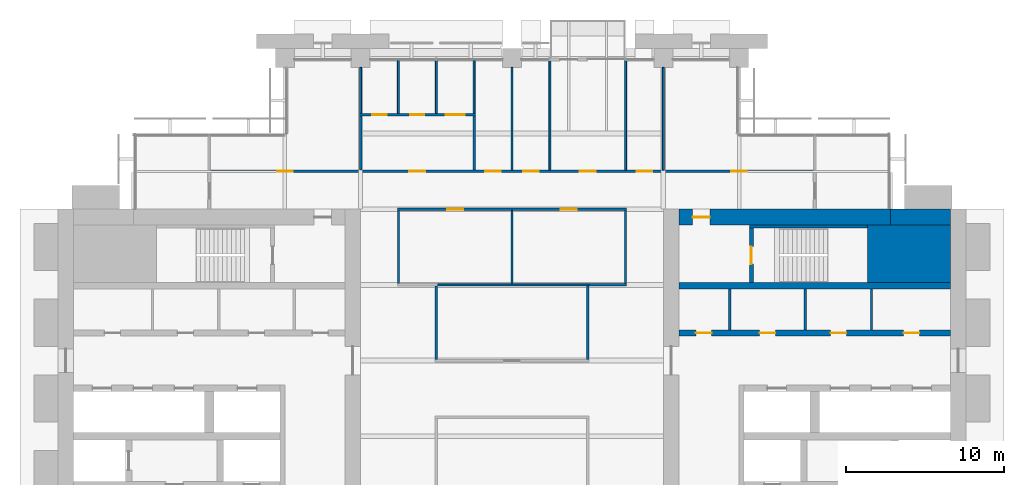
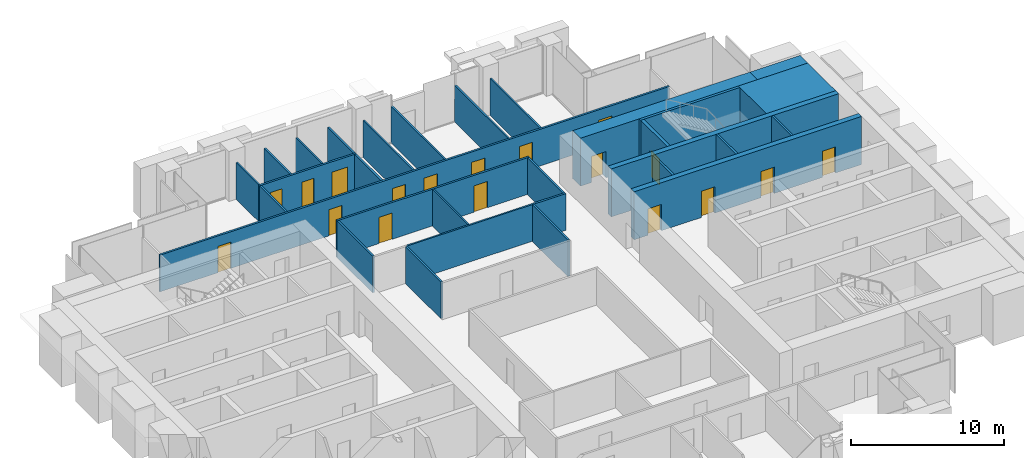
# One storey, part 12 of 15: 30 walls, 18 doors, 18 openings.
"""IFC4 building model written with IfcOpenShell, lengths in metres."""

from ifc_helpers import new_model, si_unit, direction, frame, frame_2d, origin, place, context, subcontext, project, spatial, rectangle, extrude, material, layer, layer_set, type_object, element, fill, save


model = new_model("IFC4")

# Units and contexts
model_context = context("Model", 3, precision=1e-05, world=origin(), true_north=direction((0.0, 1.0)))
body_context = subcontext(model_context, "Body", "Model", "MODEL_VIEW")
ifc_project = project(units=[si_unit("LENGTHUNIT", "METRE"), si_unit("AREAUNIT", "SQUARE_METRE"), si_unit("VOLUMEUNIT", "CUBIC_METRE"), si_unit("PLANEANGLEUNIT", "RADIAN"), si_unit("MASSUNIT", "GRAM", prefix="KILO")], contexts=[model_context])

# Site, building, storey
site_placement = place(None, origin())
site = spatial("IfcSite", under=ifc_project, at=site_placement, CompositionType="ELEMENT")
building_placement = place(site_placement, origin())
building = spatial("IfcBuilding", under=site, at=building_placement, Name="Baori Bourse Tower", CompositionType="ELEMENT")
storey_placement = place(building_placement, frame((0.0, 0.0, 140.10009765625)))
storey = spatial("IfcBuildingStorey", under=building, at=storey_placement, Name="L30", CompositionType="ELEMENT", Elevation=140.10009765625)

# Walls
ifc_material_1 = material(Name="Concrete f'c 60 MPa", Category="concrete")
wall_type_1 = type_object("IfcWallType", Name="Core corner block f'c 60", PredefinedType="SHEAR", material=ifc_material_1)
wall_1_placement = place(storey_placement, frame((51.35009765625, 35.574951171875, 0.0), z_axis=(0.0, 0.0, 1.0), x_axis=(1.0, 0.0, 0.0)))
element("IfcWall", 1, at=wall_1_placement, inside=storey, type_object=wall_type_1, Name="Core wall E26", PredefinedType="SHEAR", context=body_context, shape_type="SweptSolid", body=[
    extrude(rectangle(XDim=5.25, YDim=3.64990234375, at=frame_2d((2.625, 0.0))), origin(), (0.0, 0.0, 1.0), 3.83984375),
])
ifc_material_2 = material(Name="Blockwork partition", Category="masonry")
ifc_layer_1 = layer(ifc_material_2, 0.14990234375)
ifc_layer_set_1 = layer_set([ifc_layer_1], Name="Core partition 150")
wall_type_2 = type_object("IfcWallType", Name="Core partition 150", PredefinedType="PARTITIONING", material=ifc_layer_set_1)
for number, where, z_axis, x_axis, name in (
    (2, (51.60009765625, 30.75, 0.0), (0.0, 0.0, 1.0), (0.0, 1.0, 0.0), "Partition wall E22"),
    (3, (47.39990234375, 30.75, 0.0), (0.0, 0.0, 1.0), (0.0, 1.0, 0.0), "Partition wall E23"),
    (4, (42.60009765625, 30.75, 0.0), (0.0, 0.0, 1.0), (0.0, 1.0, 0.0), "Partition wall E24"),
):
    element("IfcWall", number, at=place(storey_placement, frame(where, z_axis=z_axis, x_axis=x_axis)), inside=storey, type_object=wall_type_2, Name=name, PredefinedType="PARTITIONING", context=body_context, shape_type="SweptSolid", body=[
        extrude(rectangle(XDim=2.60009765625, YDim=0.14990234375, at=frame_2d((1.300048828125, 0.0))), origin(), (0.0, 0.0, 1.0), 3.83984375),
    ])
ifc_material_3 = material(Name="Concrete f'c 60 MPa", Category="concrete")
ifc_layer_2 = layer(ifc_material_3, 1.0)
ifc_layer_set_2 = layer_set([ifc_layer_2], Name="Core wall 1000 f'c 60")
wall_type_3 = type_object("IfcWallType", Name="Core wall 1000 f'c 60", PredefinedType="SHEAR", material=ifc_layer_set_2)
wall_2_placement = place(storey_placement, frame((52.800048828125, 37.89990234375, 0.0), z_axis=(0.0, 0.0, 1.0), x_axis=(1.0, 0.0, 0.0)))
element("IfcWall", 5, at=wall_2_placement, inside=storey, type_object=wall_type_3, Name="Core wall E29", PredefinedType="SHEAR", context=body_context, shape_type="SweptSolid", body=[
    extrude(rectangle(XDim=3.800048828125, YDim=1.0, at=frame_2d((1.89990234375, 0.0))), origin(), (0.0, 0.0, 1.0), 3.83984375),
])

# Wall, opening, door
wall_3_placement = place(storey_placement, frame((39.39990234375, 37.89990234375, 0.0), z_axis=(0.0, 0.0, 1.0), x_axis=(1.0, 0.0, 0.0)))
wall_3 = element("IfcWall", 6, at=wall_3_placement, inside=storey, type_object=wall_type_3, Name="Core wall E30", PredefinedType="SHEAR", context=body_context, shape_type="SweptSolid", body=[
    extrude(rectangle(XDim=13.400146484375, YDim=1.0, at=frame_2d((6.7001953125, 0.0))), origin(), (0.0, 0.0, 1.0), 3.83984375),
])
opening_1_placement = place(wall_3_placement, frame((0.85009765625, 0.0, 0.0)))
opening_1 = element("IfcOpeningElement", 7, at=opening_1_placement, cuts=wall_3, Name="Opening L30-D204", PredefinedType="OPENING", context=body_context, shape_type="SweptSolid", body=[
    extrude(rectangle(XDim=1.10009765625, YDim=2.10009765625, at=frame_2d((0.550048828125, 1.050048828125))), frame((0.0, 0.510009765625, 0.0), z_axis=(0.0, -1.0, 0.0), x_axis=(1.0, 0.0, 0.0)), (0.0, 0.0, 1.0), 1.02001953125),
])
ifc_material_4 = material(Name="Painted steel door", Category="steel")
door_type_1 = type_object("IfcDoorType", Name="Stair door 1100", OperationType="SINGLE_SWING_LEFT", PredefinedType="DOOR", material=ifc_material_4)
door_1_placement = place(opening_1_placement, origin())
door_1 = element("IfcDoor", 8, at=door_1_placement, inside=storey, type_object=door_type_1, Name="Stair vestibule door B E L30", OperationType="SINGLE_SWING_LEFT", OverallHeight=2.10009765625, OverallWidth=1.10009765625, PredefinedType="DOOR", context=body_context, shape_type="SweptSolid", body=[
    extrude(rectangle(XDim=1.10009765625, YDim=2.10009765625, at=frame_2d((0.550048828125, 1.050048828125))), frame((0.0, 0.02490234375, 0.0), z_axis=(0.0, -1.0, 0.0), x_axis=(1.0, 0.0, 0.0)), (0.0, 0.0, 1.0), 0.050048828125),
])
fill(opening_1, door_1)

# Wall
ifc_material_5 = material(Name="Gypsum board partition")
ifc_layer_3 = layer(ifc_material_5, 0.14990234375)
ifc_layer_set_3 = layer_set([ifc_layer_3], Name="Corridor partition 150")
wall_type_4 = type_object("IfcWallType", Name="Corridor partition 150", PredefinedType="PARTITIONING", material=ifc_layer_set_3)
wall_4_placement = place(storey_placement, frame((33.675048828125, 33.60009765625, 0.0), z_axis=(0.0, 0.0, 1.0), x_axis=(1.0, 0.0, 0.0)))
element("IfcWall", 9, at=wall_4_placement, inside=storey, type_object=wall_type_4, Name="Partition", PredefinedType="PARTITIONING", context=body_context, shape_type="SweptSolid", body=[
    extrude(rectangle(XDim=2.39990234375, YDim=0.14990234375, at=frame_2d((1.199951171875, 0.0))), origin(), (0.0, 0.0, 1.0), 2.935546875),
])

# Wall, openings, doors
wall_5_placement = place(storey_placement, frame((21.52490234375, 38.39990234375, 0.0), z_axis=(0.0, 0.0, 1.0), x_axis=(1.0, 0.0, 0.0)))
wall_5 = element("IfcWall", 10, at=wall_5_placement, inside=storey, type_object=wall_type_4, Name="Partition", PredefinedType="PARTITIONING", context=body_context, shape_type="SweptSolid", body=[
    extrude(rectangle(XDim=14.550048828125, YDim=0.14990234375, at=frame_2d((7.27490234375, 0.0))), origin(), (0.0, 0.0, 1.0), 2.935546875),
])
opening_2_placement = place(wall_5_placement, frame((3.175048828125, 0.0, 0.0)))
opening_2 = element("IfcOpeningElement", 11, at=opening_2_placement, cuts=wall_5, Name="Opening L30-D10", PredefinedType="OPENING", context=body_context, shape_type="SweptSolid", body=[
    extrude(rectangle(XDim=1.0, YDim=2.10009765625, at=frame_2d((0.5, 1.050048828125))), frame((0.0, 0.0849609375, 0.0), z_axis=(0.0, -1.0, 0.0), x_axis=(1.0, 0.0, 0.0)), (0.0, 0.0, 1.0), 0.169921875),
])
opening_3_placement = place(wall_5_placement, frame((10.375, 0.0, 0.0)))
opening_3 = element("IfcOpeningElement", 12, at=opening_3_placement, cuts=wall_5, Name="Opening L30-D11", PredefinedType="OPENING", context=body_context, shape_type="SweptSolid", body=[
    extrude(rectangle(XDim=1.0, YDim=2.10009765625, at=frame_2d((0.5, 1.050048828125))), frame((0.0, 0.0849609375, 0.0), z_axis=(0.0, -1.0, 0.0), x_axis=(1.0, 0.0, 0.0)), (0.0, 0.0, 1.0), 0.169921875),
])
ifc_material_6 = material(Name="Timber door leaf", Category="wood")
door_type_2 = type_object("IfcDoorType", Name="Door 1000 x 2100", OperationType="SINGLE_SWING_LEFT", PredefinedType="DOOR", material=ifc_material_6)
door_2_placement = place(opening_2_placement, origin())
door_2 = element("IfcDoor", 13, at=door_2_placement, inside=storey, type_object=door_type_2, Name="Door", OperationType="SINGLE_SWING_LEFT", OverallHeight=2.10009765625, OverallWidth=1.0, PredefinedType="DOOR", context=body_context, shape_type="SweptSolid", body=[
    extrude(rectangle(XDim=1.0, YDim=2.10009765625, at=frame_2d((0.5, 1.050048828125))), frame((0.0, 0.02490234375, 0.0), z_axis=(0.0, -1.0, 0.0), x_axis=(1.0, 0.0, 0.0)), (0.0, 0.0, 1.0), 0.050048828125),
])
fill(opening_2, door_2)
door_3_placement = place(opening_3_placement, origin())
door_3 = element("IfcDoor", 14, at=door_3_placement, inside=storey, type_object=door_type_2, Name="Door", OperationType="SINGLE_SWING_RIGHT", OverallHeight=2.10009765625, OverallWidth=1.0, PredefinedType="DOOR", context=body_context, shape_type="SweptSolid", body=[
    extrude(rectangle(XDim=1.0, YDim=2.10009765625, at=frame_2d((0.5, 1.050048828125))), frame((0.0, 0.02490234375, 0.0), z_axis=(0.0, -1.0, 0.0), x_axis=(1.0, 0.0, 0.0)), (0.0, 0.0, 1.0), 0.050048828125),
])
fill(opening_3, door_3)

wall_6_placement = place(storey_placement, frame((9.52490234375, 40.800048828125, 0.0), z_axis=(0.0, 0.0, 1.0), x_axis=(1.0, 0.0, 0.0)))
wall_6 = element("IfcWall", 15, at=wall_6_placement, inside=storey, type_object=wall_type_4, Name="Partition", PredefinedType="PARTITIONING", context=body_context, shape_type="SweptSolid", body=[
    extrude(rectangle(XDim=38.550048828125, YDim=0.14990234375, at=frame_2d((19.27490234375, 0.0))), origin(), (0.0, 0.0, 1.0), 2.935546875),
])
opening_4_placement = place(wall_6_placement, frame((4.375, 0.0, 0.0)))
opening_4 = element("IfcOpeningElement", 16, at=opening_4_placement, cuts=wall_6, Name="Opening L30-D12", PredefinedType="OPENING", context=body_context, shape_type="SweptSolid", body=[
    extrude(rectangle(XDim=1.0, YDim=2.10009765625, at=frame_2d((0.5, 1.050048828125))), frame((0.0, 0.0849609375, 0.0), z_axis=(0.0, -1.0, 0.0), x_axis=(1.0, 0.0, 0.0)), (0.0, 0.0, 1.0), 0.169921875),
])
opening_5_placement = place(wall_6_placement, frame((12.77490234375, 0.0, 0.0)))
opening_5 = element("IfcOpeningElement", 17, at=opening_5_placement, cuts=wall_6, Name="Opening L30-D13", PredefinedType="OPENING", context=body_context, shape_type="SweptSolid", body=[
    extrude(rectangle(XDim=1.0, YDim=2.10009765625, at=frame_2d((0.5, 1.050048828125))), frame((0.0, 0.0849609375, 0.0), z_axis=(0.0, -1.0, 0.0), x_axis=(1.0, 0.0, 0.0)), (0.0, 0.0, 1.0), 0.169921875),
])
opening_6_placement = place(wall_6_placement, frame((17.574951171875, 0.0, 0.0)))
opening_6 = element("IfcOpeningElement", 18, at=opening_6_placement, cuts=wall_6, Name="Opening L30-D14", PredefinedType="OPENING", context=body_context, shape_type="SweptSolid", body=[
    extrude(rectangle(XDim=1.0, YDim=2.10009765625, at=frame_2d((0.5, 1.050048828125))), frame((0.0, 0.0849609375, 0.0), z_axis=(0.0, -1.0, 0.0), x_axis=(1.0, 0.0, 0.0)), (0.0, 0.0, 1.0), 0.169921875),
])
opening_7_placement = place(wall_6_placement, frame((19.97509765625, 0.0, 0.0)))
opening_7 = element("IfcOpeningElement", 19, at=opening_7_placement, cuts=wall_6, Name="Opening L30-D15", PredefinedType="OPENING", context=body_context, shape_type="SweptSolid", body=[
    extrude(rectangle(XDim=1.0, YDim=2.10009765625, at=frame_2d((0.5, 1.050048828125))), frame((0.0, 0.0849609375, 0.0), z_axis=(0.0, -1.0, 0.0), x_axis=(1.0, 0.0, 0.0)), (0.0, 0.0, 1.0), 0.169921875),
])
opening_8_placement = place(wall_6_placement, frame((23.574951171875, 0.0, 0.0)))
opening_8 = element("IfcOpeningElement", 20, at=opening_8_placement, cuts=wall_6, Name="Opening L30-D16", PredefinedType="OPENING", context=body_context, shape_type="SweptSolid", body=[
    extrude(rectangle(XDim=1.0, YDim=2.10009765625, at=frame_2d((0.5, 1.050048828125))), frame((0.0, 0.0849609375, 0.0), z_axis=(0.0, -1.0, 0.0), x_axis=(1.0, 0.0, 0.0)), (0.0, 0.0, 1.0), 0.169921875),
])
opening_9_placement = place(wall_6_placement, frame((27.175048828125, 0.0, 0.0)))
opening_9 = element("IfcOpeningElement", 21, at=opening_9_placement, cuts=wall_6, Name="Opening L30-D17", PredefinedType="OPENING", context=body_context, shape_type="SweptSolid", body=[
    extrude(rectangle(XDim=1.0, YDim=2.10009765625, at=frame_2d((0.5, 1.050048828125))), frame((0.0, 0.0849609375, 0.0), z_axis=(0.0, -1.0, 0.0), x_axis=(1.0, 0.0, 0.0)), (0.0, 0.0, 1.0), 0.169921875),
])
opening_10_placement = place(wall_6_placement, frame((33.175048828125, 0.0, 0.0)))
opening_10 = element("IfcOpeningElement", 22, at=opening_10_placement, cuts=wall_6, Name="Opening L30-D18", PredefinedType="OPENING", context=body_context, shape_type="SweptSolid", body=[
    extrude(rectangle(XDim=1.0, YDim=2.10009765625, at=frame_2d((0.5, 1.050048828125))), frame((0.0, 0.0849609375, 0.0), z_axis=(0.0, -1.0, 0.0), x_axis=(1.0, 0.0, 0.0)), (0.0, 0.0, 1.0), 0.169921875),
])
door_4_placement = place(opening_4_placement, origin())
door_4 = element("IfcDoor", 23, at=door_4_placement, inside=storey, type_object=door_type_2, Name="Door", OperationType="SINGLE_SWING_RIGHT", OverallHeight=2.10009765625, OverallWidth=1.0, PredefinedType="DOOR", context=body_context, shape_type="SweptSolid", body=[
    extrude(rectangle(XDim=1.0, YDim=2.10009765625, at=frame_2d((0.5, 1.050048828125))), frame((0.0, 0.02490234375, 0.0), z_axis=(0.0, -1.0, 0.0), x_axis=(1.0, 0.0, 0.0)), (0.0, 0.0, 1.0), 0.050048828125),
])
fill(opening_4, door_4)
door_5_placement = place(opening_5_placement, origin())
door_5 = element("IfcDoor", 24, at=door_5_placement, inside=storey, type_object=door_type_2, Name="Door", OperationType="SINGLE_SWING_LEFT", OverallHeight=2.10009765625, OverallWidth=1.0, PredefinedType="DOOR", context=body_context, shape_type="SweptSolid", body=[
    extrude(rectangle(XDim=1.0, YDim=2.10009765625, at=frame_2d((0.5, 1.050048828125))), frame((0.0, 0.02490234375, 0.0), z_axis=(0.0, -1.0, 0.0), x_axis=(1.0, 0.0, 0.0)), (0.0, 0.0, 1.0), 0.050048828125),
])
fill(opening_5, door_5)
door_6_placement = place(opening_6_placement, origin())
door_6 = element("IfcDoor", 25, at=door_6_placement, inside=storey, type_object=door_type_2, Name="Door", OperationType="SINGLE_SWING_RIGHT", OverallHeight=2.10009765625, OverallWidth=1.0, PredefinedType="DOOR", context=body_context, shape_type="SweptSolid", body=[
    extrude(rectangle(XDim=1.0, YDim=2.10009765625, at=frame_2d((0.5, 1.050048828125))), frame((0.0, 0.02490234375, 0.0), z_axis=(0.0, -1.0, 0.0), x_axis=(1.0, 0.0, 0.0)), (0.0, 0.0, 1.0), 0.050048828125),
])
fill(opening_6, door_6)
door_7_placement = place(opening_7_placement, origin())
door_7 = element("IfcDoor", 26, at=door_7_placement, inside=storey, type_object=door_type_2, Name="Door", OperationType="SINGLE_SWING_LEFT", OverallHeight=2.10009765625, OverallWidth=1.0, PredefinedType="DOOR", context=body_context, shape_type="SweptSolid", body=[
    extrude(rectangle(XDim=1.0, YDim=2.10009765625, at=frame_2d((0.5, 1.050048828125))), frame((0.0, 0.02490234375, 0.0), z_axis=(0.0, -1.0, 0.0), x_axis=(1.0, 0.0, 0.0)), (0.0, 0.0, 1.0), 0.050048828125),
])
fill(opening_7, door_7)
door_8_placement = place(opening_8_placement, origin())
door_8 = element("IfcDoor", 27, at=door_8_placement, inside=storey, type_object=door_type_2, Name="Door", OperationType="SINGLE_SWING_LEFT", OverallHeight=2.10009765625, OverallWidth=1.0, PredefinedType="DOOR", context=body_context, shape_type="SweptSolid", body=[
    extrude(rectangle(XDim=1.0, YDim=2.10009765625, at=frame_2d((0.5, 1.050048828125))), frame((0.0, 0.02490234375, 0.0), z_axis=(0.0, -1.0, 0.0), x_axis=(1.0, 0.0, 0.0)), (0.0, 0.0, 1.0), 0.050048828125),
])
fill(opening_8, door_8)
door_9_placement = place(opening_9_placement, origin())
door_9 = element("IfcDoor", 28, at=door_9_placement, inside=storey, type_object=door_type_2, Name="Door", OperationType="SINGLE_SWING_LEFT", OverallHeight=2.10009765625, OverallWidth=1.0, PredefinedType="DOOR", context=body_context, shape_type="SweptSolid", body=[
    extrude(rectangle(XDim=1.0, YDim=2.10009765625, at=frame_2d((0.5, 1.050048828125))), frame((0.0, 0.02490234375, 0.0), z_axis=(0.0, -1.0, 0.0), x_axis=(1.0, 0.0, 0.0)), (0.0, 0.0, 1.0), 0.050048828125),
])
fill(opening_9, door_9)
door_10_placement = place(opening_10_placement, origin())
door_10 = element("IfcDoor", 29, at=door_10_placement, inside=storey, type_object=door_type_2, Name="Door", OperationType="SINGLE_SWING_LEFT", OverallHeight=2.10009765625, OverallWidth=1.0, PredefinedType="DOOR", context=body_context, shape_type="SweptSolid", body=[
    extrude(rectangle(XDim=1.0, YDim=2.10009765625, at=frame_2d((0.5, 1.050048828125))), frame((0.0, 0.02490234375, 0.0), z_axis=(0.0, -1.0, 0.0), x_axis=(1.0, 0.0, 0.0)), (0.0, 0.0, 1.0), 0.050048828125),
])
fill(opening_10, door_10)

wall_7_placement = place(storey_placement, frame((19.125, 44.39990234375, 0.0), z_axis=(0.0, 0.0, 1.0), x_axis=(1.0, 0.0, 0.0)))
wall_7 = element("IfcWall", 30, at=wall_7_placement, inside=storey, type_object=wall_type_4, Name="Partition", PredefinedType="PARTITIONING", context=body_context, shape_type="SweptSolid", body=[
    extrude(rectangle(XDim=7.35009765625, YDim=0.14990234375, at=frame_2d((3.675048828125, 0.0))), origin(), (0.0, 0.0, 1.0), 2.935546875),
])
opening_11_placement = place(wall_7_placement, frame((0.824951171875, 0.0, 0.0)))
opening_11 = element("IfcOpeningElement", 31, at=opening_11_placement, cuts=wall_7, Name="Opening L30-D19", PredefinedType="OPENING", context=body_context, shape_type="SweptSolid", body=[
    extrude(rectangle(XDim=0.89990234375, YDim=2.10009765625, at=frame_2d((0.449951171875, 1.050048828125))), frame((0.0, 0.0849609375, 0.0), z_axis=(0.0, -1.0, 0.0), x_axis=(1.0, 0.0, 0.0)), (0.0, 0.0, 1.0), 0.169921875),
])
opening_12_placement = place(wall_7_placement, frame((3.22509765625, 0.0, 0.0)))
opening_12 = element("IfcOpeningElement", 32, at=opening_12_placement, cuts=wall_7, Name="Opening L30-D20", PredefinedType="OPENING", context=body_context, shape_type="SweptSolid", body=[
    extrude(rectangle(XDim=0.89990234375, YDim=2.10009765625, at=frame_2d((0.449951171875, 1.050048828125))), frame((0.0, 0.0849609375, 0.0), z_axis=(0.0, -1.0, 0.0), x_axis=(1.0, 0.0, 0.0)), (0.0, 0.0, 1.0), 0.169921875),
])
opening_13_placement = place(wall_7_placement, frame((5.47509765625, 0.0, 0.0)))
opening_13 = element("IfcOpeningElement", 33, at=opening_13_placement, cuts=wall_7, Name="Opening L30-D21", PredefinedType="OPENING", context=body_context, shape_type="SweptSolid", body=[
    extrude(rectangle(XDim=1.199951171875, YDim=2.10009765625, at=frame_2d((0.60009765625, 1.050048828125))), frame((0.0, 0.0849609375, 0.0), z_axis=(0.0, -1.0, 0.0), x_axis=(1.0, 0.0, 0.0)), (0.0, 0.0, 1.0), 0.169921875),
])
ifc_material_7 = material(Name="Timber door leaf", Category="wood")
door_type_3 = type_object("IfcDoorType", Name="Door 1200 x 2100", OperationType="SINGLE_SWING_LEFT", PredefinedType="DOOR", material=ifc_material_7)
door_11_placement = place(opening_13_placement, origin())
door_11 = element("IfcDoor", 34, at=door_11_placement, inside=storey, type_object=door_type_3, Name="Door", OperationType="SINGLE_SWING_LEFT", OverallHeight=2.10009765625, OverallWidth=1.199951171875, PredefinedType="DOOR", context=body_context, shape_type="SweptSolid", body=[
    extrude(rectangle(XDim=1.199951171875, YDim=2.10009765625, at=frame_2d((0.60009765625, 1.050048828125))), frame((0.0, 0.02490234375, 0.0), z_axis=(0.0, -1.0, 0.0), x_axis=(1.0, 0.0, 0.0)), (0.0, 0.0, 1.0), 0.050048828125),
])
fill(opening_13, door_11)
ifc_material_8 = material(Name="Timber door leaf", Category="wood")
door_type_4 = type_object("IfcDoorType", Name="Door 900 x 2100", OperationType="SINGLE_SWING_LEFT", PredefinedType="DOOR", material=ifc_material_8)
door_12_placement = place(opening_11_placement, origin())
door_12 = element("IfcDoor", 35, at=door_12_placement, inside=storey, type_object=door_type_4, Name="Door", OperationType="SINGLE_SWING_RIGHT", OverallHeight=2.10009765625, OverallWidth=0.89990234375, PredefinedType="DOOR", context=body_context, shape_type="SweptSolid", body=[
    extrude(rectangle(XDim=0.89990234375, YDim=2.10009765625, at=frame_2d((0.449951171875, 1.050048828125))), frame((0.0, 0.02490234375, 0.0), z_axis=(0.0, -1.0, 0.0), x_axis=(1.0, 0.0, 0.0)), (0.0, 0.0, 1.0), 0.050048828125),
])
fill(opening_11, door_12)
door_13_placement = place(opening_12_placement, origin())
door_13 = element("IfcDoor", 36, at=door_13_placement, inside=storey, type_object=door_type_4, Name="Door", OperationType="SINGLE_SWING_RIGHT", OverallHeight=2.10009765625, OverallWidth=0.89990234375, PredefinedType="DOOR", context=body_context, shape_type="SweptSolid", body=[
    extrude(rectangle(XDim=0.89990234375, YDim=2.10009765625, at=frame_2d((0.449951171875, 1.050048828125))), frame((0.0, 0.02490234375, 0.0), z_axis=(0.0, -1.0, 0.0), x_axis=(1.0, 0.0, 0.0)), (0.0, 0.0, 1.0), 0.050048828125),
])
fill(opening_12, door_13)

# Walls
wall_8_placement = place(storey_placement, frame((19.199951171875, 40.875, 0.0), z_axis=(0.0, 0.0, 1.0), x_axis=(0.0, 1.0, 0.0)))
element("IfcWall", 37, at=wall_8_placement, inside=storey, type_object=wall_type_4, Name="Partition", PredefinedType="PARTITIONING", context=body_context, shape_type="SweptSolid", body=[
    extrude(rectangle(XDim=3.449951171875, YDim=0.14990234375, at=frame_2d((1.72509765625, 0.0))), origin(), (0.0, 0.0, 1.0), 2.935546875),
])
for number, where, z_axis, x_axis, name in (
    (38, (21.60009765625, 33.675048828125, 0.0), (0.0, 0.0, 1.0), (0.0, 1.0, 0.0), "Partition"),
    (39, (24.0, 28.875, 0.0), (0.0, 0.0, 1.0), (0.0, 1.0, 0.0), "Partition"),
):
    element("IfcWall", number, at=place(storey_placement, frame(where, z_axis=z_axis, x_axis=x_axis)), inside=storey, type_object=wall_type_4, Name=name, PredefinedType="PARTITIONING", context=body_context, shape_type="SweptSolid", body=[
        extrude(rectangle(XDim=4.64990234375, YDim=0.14990234375, at=frame_2d((2.324951171875, 0.0))), origin(), (0.0, 0.0, 1.0), 2.935546875),
    ])
wall_9_placement = place(storey_placement, frame((26.39990234375, 40.875, 0.0), z_axis=(0.0, 0.0, 1.0), x_axis=(0.0, 1.0, 0.0)))
element("IfcWall", 40, at=wall_9_placement, inside=storey, type_object=wall_type_4, Name="Partition", PredefinedType="PARTITIONING", context=body_context, shape_type="SweptSolid", body=[
    extrude(rectangle(XDim=3.449951171875, YDim=0.14990234375, at=frame_2d((1.72509765625, 0.0))), origin(), (0.0, 0.0, 1.0), 2.935546875),
])
for number, where, z_axis, x_axis, name in (
    (41, (33.60009765625, 28.875, 0.0), (0.0, 0.0, 1.0), (0.0, 1.0, 0.0), "Partition"),
    (42, (36.0, 33.675048828125, 0.0), (0.0, 0.0, 1.0), (0.0, 1.0, 0.0), "Partition"),
):
    element("IfcWall", number, at=place(storey_placement, frame(where, z_axis=z_axis, x_axis=x_axis)), inside=storey, type_object=wall_type_4, Name=name, PredefinedType="PARTITIONING", context=body_context, shape_type="SweptSolid", body=[
        extrude(rectangle(XDim=4.64990234375, YDim=0.14990234375, at=frame_2d((2.324951171875, 0.0))), origin(), (0.0, 0.0, 1.0), 2.935546875),
    ])
ifc_material_9 = material(Name="Gypsum board partition")
ifc_layer_4 = layer(ifc_material_9, 0.125)
ifc_layer_set_4 = layer_set([ifc_layer_4], Name="Partition 125")
wall_type_5 = type_object("IfcWallType", Name="Partition 125", PredefinedType="PARTITIONING", material=ifc_layer_set_4)
wall_10_placement = place(storey_placement, frame((24.074951171875, 33.60009765625, 0.0), z_axis=(0.0, 0.0, 1.0), x_axis=(1.0, 0.0, 0.0)))
element("IfcWall", 43, at=wall_10_placement, inside=storey, type_object=wall_type_5, Name="Partition", PredefinedType="PARTITIONING", context=body_context, shape_type="SweptSolid", body=[
    extrude(rectangle(XDim=9.60009765625, YDim=0.125, at=frame_2d((4.800048828125, 0.0))), origin(), (0.0, 0.0, 1.0), 2.935546875),
])
wall_11_placement = place(storey_placement, frame((19.199951171875, 44.47509765625, 0.0), z_axis=(0.0, 0.0, 1.0), x_axis=(0.0, 1.0, 0.0)))
element("IfcWall", 44, at=wall_11_placement, inside=storey, type_object=wall_type_5, Name="Partition", PredefinedType="PARTITIONING", context=body_context, shape_type="SweptSolid", body=[
    extrude(rectangle(XDim=2.9248046875, YDim=0.125, at=frame_2d((1.46240234375, 0.0))), origin(), (0.0, 0.0, 1.0), 2.935546875),
])
for number, where, z_axis, x_axis, name in (
    (45, (21.60009765625, 44.47509765625, 0.0), (0.0, 0.0, 1.0), (0.0, 1.0, 0.0), "Partition"),
    (46, (24.0, 44.47509765625, 0.0), (0.0, 0.0, 1.0), (0.0, 1.0, 0.0), "Partition"),
    (47, (26.39990234375, 44.47509765625, 0.0), (0.0, 0.0, 1.0), (0.0, 1.0, 0.0), "Partition"),
):
    element("IfcWall", number, at=place(storey_placement, frame(where, z_axis=z_axis, x_axis=x_axis)), inside=storey, type_object=wall_type_5, Name=name, PredefinedType="PARTITIONING", context=body_context, shape_type="SweptSolid", body=[
        extrude(rectangle(XDim=3.4248046875, YDim=0.125, at=frame_2d((1.71240234375, 0.0))), origin(), (0.0, 0.0, 1.0), 2.935546875),
    ])
wall_12_placement = place(storey_placement, frame((28.800048828125, 33.66259765625, 0.0), z_axis=(0.0, 0.0, 1.0), x_axis=(0.0, 1.0, 0.0)))
element("IfcWall", 48, at=wall_12_placement, inside=storey, type_object=wall_type_5, Name="Partition", PredefinedType="PARTITIONING", context=body_context, shape_type="SweptSolid", body=[
    extrude(rectangle(XDim=4.662353515625, YDim=0.125, at=frame_2d((2.3310546875, 0.0))), origin(), (0.0, 0.0, 1.0), 2.935546875),
])
wall_13_placement = place(storey_placement, frame((28.800048828125, 40.875, 0.0), z_axis=(0.0, 0.0, 1.0), x_axis=(0.0, 1.0, 0.0)))
element("IfcWall", 49, at=wall_13_placement, inside=storey, type_object=wall_type_5, Name="Partition", PredefinedType="PARTITIONING", context=body_context, shape_type="SweptSolid", body=[
    extrude(rectangle(XDim=6.52490234375, YDim=0.125, at=frame_2d((3.262451171875, 0.0))), origin(), (0.0, 0.0, 1.0), 2.935546875),
])
for number, where, z_axis, x_axis, name in (
    (50, (31.199951171875, 40.875, 0.0), (0.0, 0.0, 1.0), (0.0, 1.0, 0.0), "Partition"),
    (51, (36.0, 40.875, 0.0), (0.0, 0.0, 1.0), (0.0, 1.0, 0.0), "Partition"),
):
    element("IfcWall", number, at=place(storey_placement, frame(where, z_axis=z_axis, x_axis=x_axis)), inside=storey, type_object=wall_type_5, Name=name, PredefinedType="PARTITIONING", context=body_context, shape_type="SweptSolid", body=[
        extrude(rectangle(XDim=7.02490234375, YDim=0.125, at=frame_2d((3.512451171875, 0.0))), origin(), (0.0, 0.0, 1.0), 2.935546875),
    ])
wall_14_placement = place(storey_placement, frame((38.39990234375, 40.875, 0.0), z_axis=(0.0, 0.0, 1.0), x_axis=(0.0, 1.0, 0.0)))
element("IfcWall", 52, at=wall_14_placement, inside=storey, type_object=wall_type_5, Name="Partition", PredefinedType="PARTITIONING", context=body_context, shape_type="SweptSolid", body=[
    extrude(rectangle(XDim=6.52490234375, YDim=0.125, at=frame_2d((3.262451171875, 0.0))), origin(), (0.0, 0.0, 1.0), 2.935546875),
])
ifc_material_10 = material(Name="Concrete f'c 60 MPa", Category="concrete")
ifc_layer_5 = layer(ifc_material_10, 0.199951171875)
ifc_layer_set_5 = layer_set([ifc_layer_5], Name="Shaft wall 200 f'c 60")
wall_type_6 = type_object("IfcWallType", Name="Shaft wall 200 f'c 60", PredefinedType="SHEAR", material=ifc_layer_set_5)
wall_15_placement = place(storey_placement, frame((43.85009765625, 37.300048828125, 0.0), z_axis=(0.0, 0.0, 1.0), x_axis=(1.0, 0.0, 0.0)))
element("IfcWall", 53, at=wall_15_placement, inside=storey, type_object=wall_type_6, Name="Core wall E28", PredefinedType="SHEAR", context=body_context, shape_type="SweptSolid", body=[
    extrude(rectangle(XDim=7.5, YDim=0.199951171875, at=frame_2d((3.75, 0.0))), origin(), (0.0, 0.0, 1.0), 3.83984375),
])

# Wall, opening, door
ifc_material_11 = material(Name="Concrete f'c 60 MPa", Category="concrete")
ifc_layer_6 = layer(ifc_material_11, 0.25)
ifc_layer_set_6 = layer_set([ifc_layer_6], Name="Shaft wall 250 f'c 60")
wall_type_7 = type_object("IfcWallType", Name="Shaft wall 250 f'c 60", PredefinedType="SHEAR", material=ifc_layer_set_6)
wall_16_placement = place(storey_placement, frame((43.97509765625, 33.75, 0.0), z_axis=(0.0, 0.0, 1.0), x_axis=(0.0, 1.0, 0.0)))
wall_16 = element("IfcWall", 54, at=wall_16_placement, inside=storey, type_object=wall_type_7, Name="Core wall E27", PredefinedType="SHEAR", context=body_context, shape_type="SweptSolid", body=[
    extrude(rectangle(XDim=3.449951171875, YDim=0.25, at=frame_2d((1.72509765625, 0.0))), origin(), (0.0, 0.0, 1.0), 3.83984375),
])
opening_14_placement = place(wall_16_placement, frame((1.175048828125, 0.0, 0.0)))
opening_14 = element("IfcOpeningElement", 55, at=opening_14_placement, cuts=wall_16, Name="Opening L30-D203", PredefinedType="OPENING", context=body_context, shape_type="SweptSolid", body=[
    extrude(rectangle(XDim=1.10009765625, YDim=2.10009765625, at=frame_2d((0.550048828125, 1.050048828125))), frame((0.0, 0.135009765625, 0.0), z_axis=(0.0, -1.0, 0.0), x_axis=(1.0, 0.0, 0.0)), (0.0, 0.0, 1.0), 0.27001953125),
])
door_14_placement = place(opening_14_placement, origin())
door_14 = element("IfcDoor", 56, at=door_14_placement, inside=storey, type_object=door_type_1, Name="Stair door B E L30", OperationType="SINGLE_SWING_LEFT", OverallHeight=2.10009765625, OverallWidth=1.10009765625, PredefinedType="DOOR", context=body_context, shape_type="SweptSolid", body=[
    extrude(rectangle(XDim=1.10009765625, YDim=2.10009765625, at=frame_2d((0.550048828125, 1.050048828125))), frame((0.0, 0.02490234375, 0.0), z_axis=(0.0, -1.0, 0.0), x_axis=(1.0, 0.0, 0.0)), (0.0, 0.0, 1.0), 0.050048828125),
])
fill(opening_14, door_14)

# Wall, openings, doors
ifc_material_12 = material(Name="Concrete f'c 60 MPa", Category="concrete")
ifc_layer_7 = layer(ifc_material_12, 0.39990234375)
ifc_layer_set_7 = layer_set([ifc_layer_7], Name="Shaft wall 400 f'c 60")
wall_type_8 = type_object("IfcWallType", Name="Shaft wall 400 f'c 60", PredefinedType="SHEAR", material=ifc_layer_set_7)
wall_17_placement = place(storey_placement, frame((39.39990234375, 30.550048828125, 0.0), z_axis=(0.0, 0.0, 1.0), x_axis=(1.0, 0.0, 0.0)))
wall_17 = element("IfcWall", 57, at=wall_17_placement, inside=storey, type_object=wall_type_8, Name="Core wall E21", PredefinedType="SHEAR", context=body_context, shape_type="SweptSolid", body=[
    extrude(rectangle(XDim=17.2001953125, YDim=0.39990234375, at=frame_2d((8.60009765625, 0.0))), origin(), (0.0, 0.0, 1.0), 3.83984375),
])
opening_15_placement = place(wall_17_placement, frame((14.237548828125, 0.0, 0.0)))
opening_15 = element("IfcOpeningElement", 58, at=opening_15_placement, cuts=wall_17, Name="Opening L30-D209", PredefinedType="OPENING", context=body_context, shape_type="SweptSolid", body=[
    extrude(rectangle(XDim=1.0, YDim=2.10009765625, at=frame_2d((0.5, 1.050048828125))), frame((0.0, 0.2099609375, 0.0), z_axis=(0.0, -1.0, 0.0), x_axis=(1.0, 0.0, 0.0)), (0.0, 0.0, 1.0), 0.419921875),
])
opening_16_placement = place(wall_17_placement, frame((9.60009765625, 0.0, 0.0)))
opening_16 = element("IfcOpeningElement", 59, at=opening_16_placement, cuts=wall_17, Name="Opening L30-D210", PredefinedType="OPENING", context=body_context, shape_type="SweptSolid", body=[
    extrude(rectangle(XDim=1.0, YDim=2.10009765625, at=frame_2d((0.5, 1.050048828125))), frame((0.0, 0.2099609375, 0.0), z_axis=(0.0, -1.0, 0.0), x_axis=(1.0, 0.0, 0.0)), (0.0, 0.0, 1.0), 0.419921875),
])
opening_17_placement = place(wall_17_placement, frame((5.10009765625, 0.0, 0.0)))
opening_17 = element("IfcOpeningElement", 60, at=opening_17_placement, cuts=wall_17, Name="Opening L30-D211", PredefinedType="OPENING", context=body_context, shape_type="SweptSolid", body=[
    extrude(rectangle(XDim=1.0, YDim=2.10009765625, at=frame_2d((0.5, 1.050048828125))), frame((0.0, 0.2099609375, 0.0), z_axis=(0.0, -1.0, 0.0), x_axis=(1.0, 0.0, 0.0)), (0.0, 0.0, 1.0), 0.419921875),
])
opening_18_placement = place(wall_17_placement, frame((1.0625, 0.0, 0.0)))
opening_18 = element("IfcOpeningElement", 61, at=opening_18_placement, cuts=wall_17, Name="Opening L30-D212", PredefinedType="OPENING", context=body_context, shape_type="SweptSolid", body=[
    extrude(rectangle(XDim=1.0, YDim=2.10009765625, at=frame_2d((0.5, 1.050048828125))), frame((0.0, 0.2099609375, 0.0), z_axis=(0.0, -1.0, 0.0), x_axis=(1.0, 0.0, 0.0)), (0.0, 0.0, 1.0), 0.419921875),
])
ifc_material_13 = material(Name="Painted steel door", Category="steel")
door_type_5 = type_object("IfcDoorType", Name="Core door 1000", OperationType="SINGLE_SWING_LEFT", PredefinedType="DOOR", material=ifc_material_13)
door_15_placement = place(opening_15_placement, origin())
door_15 = element("IfcDoor", 62, at=door_15_placement, inside=storey, type_object=door_type_5, Name="Men'S Wc door E L30", OperationType="SINGLE_SWING_LEFT", OverallHeight=2.10009765625, OverallWidth=1.0, PredefinedType="DOOR", context=body_context, shape_type="SweptSolid", body=[
    extrude(rectangle(XDim=1.0, YDim=2.10009765625, at=frame_2d((0.5, 1.050048828125))), frame((0.0, 0.02490234375, 0.0), z_axis=(0.0, -1.0, 0.0), x_axis=(1.0, 0.0, 0.0)), (0.0, 0.0, 1.0), 0.050048828125),
])
fill(opening_15, door_15)
door_16_placement = place(opening_16_placement, origin())
door_16 = element("IfcDoor", 63, at=door_16_placement, inside=storey, type_object=door_type_5, Name="Accessible Wc door E L30", OperationType="SINGLE_SWING_LEFT", OverallHeight=2.10009765625, OverallWidth=1.0, PredefinedType="DOOR", context=body_context, shape_type="SweptSolid", body=[
    extrude(rectangle(XDim=1.0, YDim=2.10009765625, at=frame_2d((0.5, 1.050048828125))), frame((0.0, 0.02490234375, 0.0), z_axis=(0.0, -1.0, 0.0), x_axis=(1.0, 0.0, 0.0)), (0.0, 0.0, 1.0), 0.050048828125),
])
fill(opening_16, door_16)
door_17_placement = place(opening_17_placement, origin())
door_17 = element("IfcDoor", 64, at=door_17_placement, inside=storey, type_object=door_type_5, Name="Women'S Wc door E L30", OperationType="SINGLE_SWING_LEFT", OverallHeight=2.10009765625, OverallWidth=1.0, PredefinedType="DOOR", context=body_context, shape_type="SweptSolid", body=[
    extrude(rectangle(XDim=1.0, YDim=2.10009765625, at=frame_2d((0.5, 1.050048828125))), frame((0.0, 0.02490234375, 0.0), z_axis=(0.0, -1.0, 0.0), x_axis=(1.0, 0.0, 0.0)), (0.0, 0.0, 1.0), 0.050048828125),
])
fill(opening_17, door_17)
ifc_material_14 = material(Name="Painted steel door", Category="steel")
door_type_6 = type_object("IfcDoorType", Name="Plant room door 1000", OperationType="SINGLE_SWING_LEFT", PredefinedType="DOOR", material=ifc_material_14)
door_18_placement = place(opening_18_placement, origin())
door_18 = element("IfcDoor", 65, at=door_18_placement, inside=storey, type_object=door_type_6, Name="Plumbing Equipment Room door E L30", OperationType="SINGLE_SWING_LEFT", OverallHeight=2.10009765625, OverallWidth=1.0, PredefinedType="DOOR", context=body_context, shape_type="SweptSolid", body=[
    extrude(rectangle(XDim=1.0, YDim=2.10009765625, at=frame_2d((0.5, 1.050048828125))), frame((0.0, 0.02490234375, 0.0), z_axis=(0.0, -1.0, 0.0), x_axis=(1.0, 0.0, 0.0)), (0.0, 0.0, 1.0), 0.050048828125),
])
fill(opening_18, door_18)

# Wall
wall_18_placement = place(storey_placement, frame((39.39990234375, 33.550048828125, 0.0), z_axis=(0.0, 0.0, 1.0), x_axis=(1.0, 0.0, 0.0)))
element("IfcWall", 66, at=wall_18_placement, inside=storey, type_object=wall_type_8, Name="Core wall E25", PredefinedType="SHEAR", context=body_context, shape_type="SweptSolid", body=[
    extrude(rectangle(XDim=17.2001953125, YDim=0.39990234375, at=frame_2d((8.60009765625, 0.0))), origin(), (0.0, 0.0, 1.0), 3.83984375),
])

save(model, "model.ifc")
